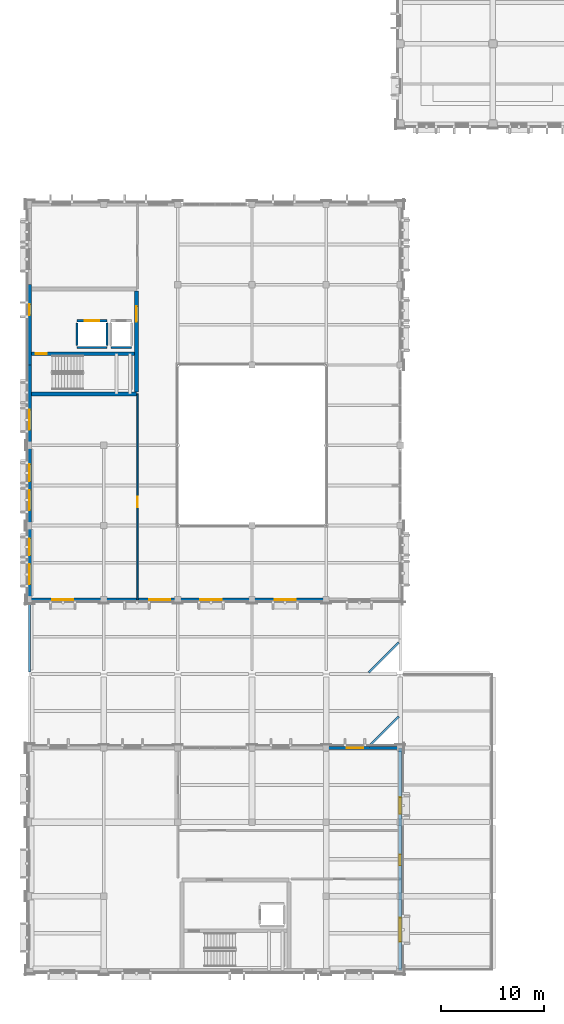
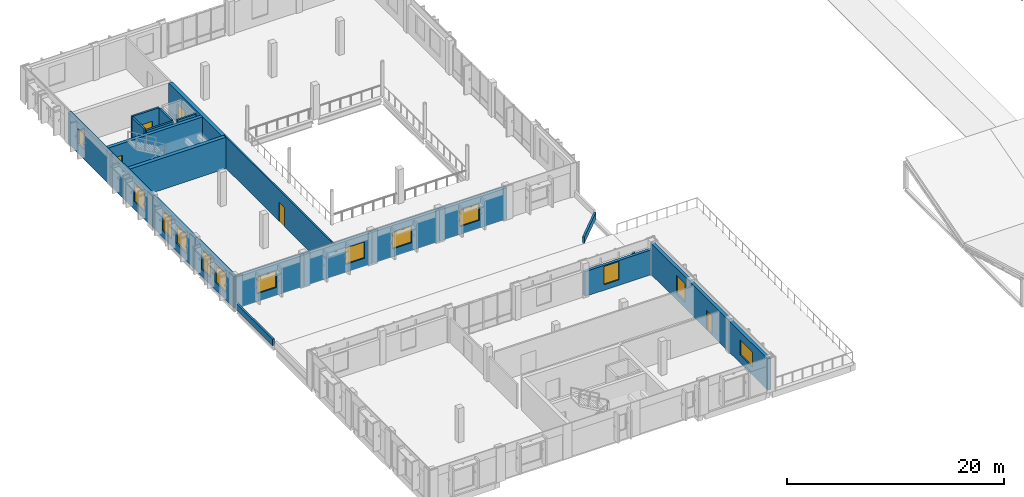
# One storey, part 39 of 64: 22 walls, 13 windows, 5 doors, 18 openings.
"""IFC4 building model written with IfcOpenShell, lengths in metres."""

from ifc_helpers import new_model, si_unit, direction, frame, frame_2d, origin, place, context, subcontext, project, spatial, rectangle, extrude, material, layer, layer_set, type_object, element, fill, save


model = new_model("IFC4")

# Units and contexts
model_context = context("Model", 3, precision=1e-05, world=origin(), true_north=direction((0.0, 1.0)))
body_context = subcontext(model_context, "Body", "Model", "MODEL_VIEW")
ifc_project = project(units=[si_unit("LENGTHUNIT", "METRE"), si_unit("AREAUNIT", "SQUARE_METRE"), si_unit("VOLUMEUNIT", "CUBIC_METRE"), si_unit("PLANEANGLEUNIT", "RADIAN"), si_unit("MASSUNIT", "GRAM", prefix="KILO")], contexts=[model_context])

# Site, building, storey
site_placement = place(None, origin())
site = spatial("IfcSite", under=ifc_project, at=site_placement, CompositionType="ELEMENT")
building_placement = place(site_placement, origin())
building = spatial("IfcBuilding", under=site, at=building_placement, Name="Vervanel Yard Central Library", CompositionType="ELEMENT")
storey_placement = place(building_placement, frame((0.0, 0.0, 8.93994140625)))
storey = spatial("IfcBuildingStorey", under=building, at=storey_placement, Name="L02", CompositionType="ELEMENT", Elevation=8.93994140625)

# Wall, opening, window
ifc_material_1 = material(Name="Precast concrete C45/55", Category="concrete")
ifc_layer_1 = layer(ifc_material_1, 0.300048828125, Category="concrete")
ifc_layer_set_1 = layer_set([ifc_layer_1], Name="Precast concrete C45/55")
wall_type_1 = type_object("IfcWallType", Name="Bush-Hammered Precast Cladding Wall 300", PredefinedType="SOLIDWALL", material=ifc_layer_set_1)
wall_1_placement = place(storey_placement, frame((28.800048828125, 21.60009765625, 0.0), z_axis=(0.0, 0.0, 1.0), x_axis=(1.0, 0.0, 0.0)))
wall_1 = element("IfcWall", 1, at=wall_1_placement, inside=storey, type_object=wall_type_1, Name="L02 Bush-Hammered Precast Cladding Wall 300 EWALL-L02-0245", PredefinedType="SOLIDWALL", context=body_context, shape_type="SweptSolid", body=[
    extrude(rectangle(XDim=7.199951171875, YDim=0.300048828125, at=frame_2d((3.60009765625, 0.0))), origin(), (0.0, 0.0, 1.0), 2.795166015625),
])
opening_1_placement = place(wall_1_placement, frame((2.0, 0.0, 0.625)))
opening_1 = element("IfcOpeningElement", 2, at=opening_1_placement, cuts=wall_1, Name="Opening WN-20", PredefinedType="OPENING", context=body_context, shape_type="SweptSolid", body=[
    extrude(rectangle(XDim=1.60009765625, YDim=2.050048828125, at=frame_2d((0.800048828125, 1.02490234375))), frame((0.0, 0.159912109375, 0.0), z_axis=(0.0, -1.0, 0.0), x_axis=(1.0, 0.0, 0.0)), (0.0, 0.0, 1.0), 0.320068359375),
])
ifc_material_2 = material(Name="Double low-E laminated solar-control glass", Category="glass")
window_type_1 = type_object("IfcWindowType", Name="Reading Courtyard Window 1600x2050", PartitioningType="SINGLE_PANEL", PredefinedType="WINDOW", material=ifc_material_2)
window_1_placement = place(opening_1_placement, origin())
window_1 = element("IfcWindow", 3, at=window_1_placement, inside=storey, type_object=window_type_1, Name="L02 Reading Courtyard Window 1600x2050 311", OverallHeight=2.050048828125, OverallWidth=1.60009765625, PartitioningType="SINGLE_PANEL", PredefinedType="WINDOW", context=body_context, shape_type="SweptSolid", body=[
    extrude(rectangle(XDim=1.60009765625, YDim=2.050048828125, at=frame_2d((0.800048828125, 1.02490234375))), frame((0.0, 0.030029296875, 0.0), z_axis=(0.0, -1.0, 0.0), x_axis=(1.0, 0.0, 0.0)), (0.0, 0.0, 1.0), 0.06005859375),
])
fill(opening_1, window_1)

# Wall
ifc_material_3 = material(Name="Concrete C45/55", Category="concrete")
ifc_layer_2 = layer(ifc_material_3, 0.39990234375, Category="concrete")
ifc_layer_set_2 = layer_set([ifc_layer_2], Name="Concrete C45/55")
wall_type_2 = type_object("IfcWallType", Name="Core Primary Shear Wall 400", PredefinedType="SHEAR", material=ifc_layer_set_2)
wall_2_placement = place(storey_placement, frame((0.169921875, 56.0, 0.0), z_axis=(0.0, 0.0, 1.0), x_axis=(1.0, 0.0, 0.0)))
element("IfcWall", 4, at=wall_2_placement, inside=storey, type_object=wall_type_2, Name="L02 CORE-C Shear Wall S", PredefinedType="SHEAR", context=body_context, shape_type="SweptSolid", body=[
    extrude(rectangle(XDim=10.22998046875, YDim=0.39990234375, at=frame_2d((5.114990234375, 0.0))), origin(), (0.0, 0.0, 1.0), 3.530029296875),
])

# Wall, opening, door
wall_3_placement = place(storey_placement, frame((10.39990234375, 56.199951171875, 0.0), z_axis=(0.0, 0.0, 1.0), x_axis=(0.0, 1.0, 0.0)))
wall_3 = element("IfcWall", 5, at=wall_3_placement, inside=storey, type_object=wall_type_2, Name="L02 CORE-C Shear Wall E", PredefinedType="SHEAR", context=body_context, shape_type="SweptSolid", body=[
    extrude(rectangle(XDim=9.800048828125, YDim=0.39990234375, at=frame_2d((4.89990234375, 0.0))), origin(), (0.0, 0.0, 1.0), 3.530029296875),
])
opening_2_placement = place(wall_3_placement, frame((6.800048828125, 0.0, 0.0)))
opening_2 = element("IfcOpeningElement", 6, at=opening_2_placement, cuts=wall_3, Name="Opening DR-F02", PredefinedType="OPENING", context=body_context, shape_type="SweptSolid", body=[
    extrude(rectangle(XDim=1.5, YDim=2.199951171875, at=frame_2d((0.75, 1.10009765625))), frame((0.0, 0.2099609375, 0.0), z_axis=(0.0, -1.0, 0.0), x_axis=(1.0, 0.0, 0.0)), (0.0, 0.0, 1.0), 0.419921875),
])
ifc_material_4 = material(Name="Galvanized painted steelwork ASTM A500 Grade C", Category="steel")
door_type_1 = type_object("IfcDoorType", Name="Fire-Rated Lobby Door 1500x2200", OperationType="NOTDEFINED", PredefinedType="DOOR", material=ifc_material_4)
door_1_placement = place(opening_2_placement, origin())
door_1 = element("IfcDoor", 7, at=door_1_placement, inside=storey, type_object=door_type_1, Name="L02 CORE-C Lobby Fire Door", OperationType="DOUBLE_DOOR_SINGLE_SWING", OverallHeight=2.199951171875, OverallWidth=1.5, PredefinedType="DOOR", context=body_context, shape_type="SweptSolid", body=[
    extrude(rectangle(XDim=1.5, YDim=2.199951171875, at=frame_2d((0.75, 1.10009765625))), frame((0.0, 0.02490234375, 0.0), z_axis=(0.0, -1.0, 0.0), x_axis=(1.0, 0.0, 0.0)), (0.0, 0.0, 1.0), 0.050048828125),
])
fill(opening_2, door_1)

ifc_layer_3 = layer(ifc_material_3, 0.35009765625, Category="concrete")
ifc_layer_set_3 = layer_set([ifc_layer_3], Name="Concrete C45/55")
wall_type_3 = type_object("IfcWallType", Name="Core Secondary Shear Wall 350", PredefinedType="SHEAR", material=ifc_layer_set_3)
wall_4_placement = place(storey_placement, frame((0.169921875, 59.89501953125, 0.0), z_axis=(0.0, 0.0, 1.0), x_axis=(1.0, 0.0, 0.0)))
wall_4 = element("IfcWall", 8, at=wall_4_placement, inside=storey, type_object=wall_type_3, Name="L02 CORE-C Stair Shaft Wall", PredefinedType="SHEAR", context=body_context, shape_type="SweptSolid", body=[
    extrude(rectangle(XDim=10.030029296875, YDim=0.35009765625, at=frame_2d((5.01513671875, 0.0))), origin(), (0.0, 0.0, 1.0), 3.530029296875),
])
opening_3_placement = place(wall_4_placement, frame((0.449951171875, 0.0, 0.0)))
opening_3 = element("IfcOpeningElement", 9, at=opening_3_placement, cuts=wall_4, Name="Opening DR-F01", PredefinedType="OPENING", context=body_context, shape_type="SweptSolid", body=[
    extrude(rectangle(XDim=1.050048828125, YDim=2.199951171875, at=frame_2d((0.52490234375, 1.10009765625))), frame((0.0, 0.18505859375, 0.0), z_axis=(0.0, -1.0, 0.0), x_axis=(1.0, 0.0, 0.0)), (0.0, 0.0, 1.0), 0.3701171875),
])
door_type_2 = type_object("IfcDoorType", Name="Fire-Rated Stair Exit Door 1050x2200", OperationType="NOTDEFINED", PredefinedType="DOOR", material=ifc_material_4)
door_2_placement = place(opening_3_placement, origin())
door_2 = element("IfcDoor", 10, at=door_2_placement, inside=storey, type_object=door_type_2, Name="L02 CORE-C Stair Door", OperationType="SINGLE_SWING_LEFT", OverallHeight=2.199951171875, OverallWidth=1.050048828125, PredefinedType="DOOR", context=body_context, shape_type="SweptSolid", body=[
    extrude(rectangle(XDim=1.050048828125, YDim=2.199951171875, at=frame_2d((0.52490234375, 1.10009765625))), frame((0.0, 0.02490234375, 0.0), z_axis=(0.0, -1.0, 0.0), x_axis=(1.0, 0.0, 0.0)), (0.0, 0.0, 1.0), 0.050048828125),
])
fill(opening_3, door_2)

# Wall, openings, windows
ifc_layer_4 = layer(ifc_material_3, 0.340087890625, Category="concrete")
ifc_layer_set_4 = layer_set([ifc_layer_4], Name="Concrete C45/55")
wall_type_4 = type_object("IfcWallType", Name="Exterior Bearing Concrete Frame Wall 340", PredefinedType="SOLIDWALL", material=ifc_layer_set_4)
wall_5_placement = place(storey_placement, frame((0.0, 36.0, 0.0), z_axis=(0.0, 0.0, 1.0), x_axis=(0.0, 1.0, 0.0)))
wall_5 = element("IfcWall", 11, at=wall_5_placement, inside=storey, type_object=wall_type_4, Name="L02 Exterior Bearing Concrete Frame Wall 340 EWALL-L02-0112", PredefinedType="SOLIDWALL", context=body_context, shape_type="SweptSolid", body=[
    extrude(rectangle(XDim=7.199951171875, YDim=0.340087890625, at=frame_2d((3.60009765625, 0.0))), origin(), (0.0, 0.0, 1.0), 3.530029296875),
])
opening_4_placement = place(wall_5_placement, frame((1.5, 0.0, 0.85009765625)))
opening_4 = element("IfcOpeningElement", 12, at=opening_4_placement, cuts=wall_5, Name="Opening WN-24", PredefinedType="OPENING", context=body_context, shape_type="SweptSolid", body=[
    extrude(rectangle(XDim=1.949951171875, YDim=2.10009765625, at=frame_2d((0.97509765625, 1.050048828125))), frame((0.0, 0.179931640625, 0.0), z_axis=(0.0, -1.0, 0.0), x_axis=(1.0, 0.0, 0.0)), (0.0, 0.0, 1.0), 0.360107421875),
])
opening_5_placement = place(wall_5_placement, frame((4.300048828125, 0.0, 0.798095703125)))
opening_5 = element("IfcOpeningElement", 13, at=opening_5_placement, cuts=wall_5, Name="Opening WN-07", PredefinedType="OPENING", context=body_context, shape_type="SweptSolid", body=[
    extrude(rectangle(XDim=1.64990234375, YDim=2.25, at=frame_2d((0.824951171875, 1.125))), frame((0.0, 0.179931640625, 0.0), z_axis=(0.0, -1.0, 0.0), x_axis=(1.0, 0.0, 0.0)), (0.0, 0.0, 1.0), 0.360107421875),
])
window_type_2 = type_object("IfcWindowType", Name="Atrium Study Window 1950x2100", PartitioningType="SINGLE_PANEL", PredefinedType="WINDOW", material=ifc_material_2)
window_2_placement = place(opening_4_placement, origin())
window_2 = element("IfcWindow", 14, at=window_2_placement, inside=storey, type_object=window_type_2, Name="L02 Atrium Study Window 1950x2100 147", OverallHeight=2.10009765625, OverallWidth=1.949951171875, PartitioningType="SINGLE_PANEL", PredefinedType="WINDOW", context=body_context, shape_type="SweptSolid", body=[
    extrude(rectangle(XDim=1.949951171875, YDim=2.10009765625, at=frame_2d((0.97509765625, 1.050048828125))), frame((0.0, 0.030029296875, 0.0), z_axis=(0.0, -1.0, 0.0), x_axis=(1.0, 0.0, 0.0)), (0.0, 0.0, 1.0), 0.06005859375),
])
fill(opening_4, window_2)
window_type_3 = type_object("IfcWindowType", Name="Atrium Wing Window 1650x2250", PartitioningType="SINGLE_PANEL", PredefinedType="WINDOW", material=ifc_material_2)
window_3_placement = place(opening_5_placement, origin())
window_3 = element("IfcWindow", 15, at=window_3_placement, inside=storey, type_object=window_type_3, Name="L02 Atrium Wing Window 1650x2250 148", OverallHeight=2.25, OverallWidth=1.64990234375, PartitioningType="SINGLE_PANEL", PredefinedType="WINDOW", context=body_context, shape_type="SweptSolid", body=[
    extrude(rectangle(XDim=1.64990234375, YDim=2.25, at=frame_2d((0.824951171875, 1.125))), frame((0.0, 0.030029296875, 0.0), z_axis=(0.0, -1.0, 0.0), x_axis=(1.0, 0.0, 0.0)), (0.0, 0.0, 1.0), 0.06005859375),
])
fill(opening_5, window_3)

wall_6_placement = place(storey_placement, frame((0.0, 43.199951171875, 0.0), z_axis=(0.0, 0.0, 1.0), x_axis=(0.0, 1.0, 0.0)))
wall_6 = element("IfcWall", 16, at=wall_6_placement, inside=storey, type_object=wall_type_4, Name="L02 Exterior Bearing Concrete Frame Wall 340 EWALL-L02-0113", PredefinedType="SOLIDWALL", context=body_context, shape_type="SweptSolid", body=[
    extrude(rectangle(XDim=7.800048828125, YDim=0.340087890625, at=frame_2d((3.89990234375, 0.0))), origin(), (0.0, 0.0, 1.0), 3.530029296875),
])
opening_6_placement = place(wall_6_placement, frame((1.5, 0.0, 0.85009765625)))
opening_6 = element("IfcOpeningElement", 17, at=opening_6_placement, cuts=wall_6, Name="Opening WN-24", PredefinedType="OPENING", context=body_context, shape_type="SweptSolid", body=[
    extrude(rectangle(XDim=1.949951171875, YDim=2.10009765625, at=frame_2d((0.97509765625, 1.050048828125))), frame((0.0, 0.179931640625, 0.0), z_axis=(0.0, -1.0, 0.0), x_axis=(1.0, 0.0, 0.0)), (0.0, 0.0, 1.0), 0.360107421875),
])
opening_7_placement = place(wall_6_placement, frame((4.300048828125, 0.0, 0.798095703125)))
opening_7 = element("IfcOpeningElement", 18, at=opening_7_placement, cuts=wall_6, Name="Opening WN-07", PredefinedType="OPENING", context=body_context, shape_type="SweptSolid", body=[
    extrude(rectangle(XDim=1.64990234375, YDim=2.25, at=frame_2d((0.824951171875, 1.125))), frame((0.0, 0.179931640625, 0.0), z_axis=(0.0, -1.0, 0.0), x_axis=(1.0, 0.0, 0.0)), (0.0, 0.0, 1.0), 0.360107421875),
])
window_4_placement = place(opening_6_placement, origin())
window_4 = element("IfcWindow", 19, at=window_4_placement, inside=storey, type_object=window_type_2, Name="L02 Atrium Study Window 1950x2100 149", OverallHeight=2.10009765625, OverallWidth=1.949951171875, PartitioningType="SINGLE_PANEL", PredefinedType="WINDOW", context=body_context, shape_type="SweptSolid", body=[
    extrude(rectangle(XDim=1.949951171875, YDim=2.10009765625, at=frame_2d((0.97509765625, 1.050048828125))), frame((0.0, 0.030029296875, 0.0), z_axis=(0.0, -1.0, 0.0), x_axis=(1.0, 0.0, 0.0)), (0.0, 0.0, 1.0), 0.06005859375),
])
fill(opening_6, window_4)
window_5_placement = place(opening_7_placement, origin())
window_5 = element("IfcWindow", 20, at=window_5_placement, inside=storey, type_object=window_type_3, Name="L02 Atrium Wing Window 1650x2250 150", OverallHeight=2.25, OverallWidth=1.64990234375, PartitioningType="SINGLE_PANEL", PredefinedType="WINDOW", context=body_context, shape_type="SweptSolid", body=[
    extrude(rectangle(XDim=1.64990234375, YDim=2.25, at=frame_2d((0.824951171875, 1.125))), frame((0.0, 0.030029296875, 0.0), z_axis=(0.0, -1.0, 0.0), x_axis=(1.0, 0.0, 0.0)), (0.0, 0.0, 1.0), 0.06005859375),
])
fill(opening_7, window_5)

# Wall, opening, window
wall_7_placement = place(storey_placement, frame((0.0, 51.0, 0.0), z_axis=(0.0, 0.0, 1.0), x_axis=(0.0, 1.0, 0.0)))
wall_7 = element("IfcWall", 21, at=wall_7_placement, inside=storey, type_object=wall_type_4, Name="L02 Exterior Bearing Concrete Frame Wall 340 EWALL-L02-0114", PredefinedType="SOLIDWALL", context=body_context, shape_type="SweptSolid", body=[
    extrude(rectangle(XDim=7.800048828125, YDim=0.340087890625, at=frame_2d((3.89990234375, 0.0))), origin(), (0.0, 0.0, 1.0), 3.530029296875),
])
opening_8_placement = place(wall_7_placement, frame((1.5, 0.0, 0.85009765625)))
opening_8 = element("IfcOpeningElement", 22, at=opening_8_placement, cuts=wall_7, Name="Opening WN-24", PredefinedType="OPENING", context=body_context, shape_type="SweptSolid", body=[
    extrude(rectangle(XDim=1.949951171875, YDim=2.10009765625, at=frame_2d((0.97509765625, 1.050048828125))), frame((0.0, 0.179931640625, 0.0), z_axis=(0.0, -1.0, 0.0), x_axis=(1.0, 0.0, 0.0)), (0.0, 0.0, 1.0), 0.360107421875),
])
window_6_placement = place(opening_8_placement, origin())
window_6 = element("IfcWindow", 23, at=window_6_placement, inside=storey, type_object=window_type_2, Name="L02 Atrium Study Window 1950x2100 151", OverallHeight=2.10009765625, OverallWidth=1.949951171875, PartitioningType="SINGLE_PANEL", PredefinedType="WINDOW", context=body_context, shape_type="SweptSolid", body=[
    extrude(rectangle(XDim=1.949951171875, YDim=2.10009765625, at=frame_2d((0.97509765625, 1.050048828125))), frame((0.0, 0.030029296875, 0.0), z_axis=(0.0, -1.0, 0.0), x_axis=(1.0, 0.0, 0.0)), (0.0, 0.0, 1.0), 0.06005859375),
])
fill(opening_8, window_6)

wall_8_placement = place(storey_placement, frame((0.0, 58.800048828125, 0.0), z_axis=(0.0, 0.0, 1.0), x_axis=(0.0, 1.0, 0.0)))
wall_8 = element("IfcWall", 24, at=wall_8_placement, inside=storey, type_object=wall_type_4, Name="L02 Exterior Bearing Concrete Frame Wall 340 EWALL-L02-0115", PredefinedType="SOLIDWALL", context=body_context, shape_type="SweptSolid", body=[
    extrude(rectangle(XDim=7.800048828125, YDim=0.340087890625, at=frame_2d((3.89990234375, 0.0))), origin(), (0.0, 0.0, 1.0), 3.530029296875),
])
opening_9_placement = place(wall_8_placement, frame((4.85009765625, 0.0, 1.10009765625)))
opening_9 = element("IfcOpeningElement", 25, at=opening_9_placement, cuts=wall_8, Name="Opening WN-16", PredefinedType="OPENING", context=body_context, shape_type="SweptSolid", body=[
    extrude(rectangle(XDim=1.050048828125, YDim=1.75, at=frame_2d((0.52490234375, 0.875))), frame((0.0, 0.179931640625, 0.0), z_axis=(0.0, -1.0, 0.0), x_axis=(1.0, 0.0, 0.0)), (0.0, 0.0, 1.0), 0.360107421875),
])
window_type_4 = type_object("IfcWindowType", Name="Study Carrel Punch Window 1050x1750", PartitioningType="SINGLE_PANEL", PredefinedType="WINDOW", material=ifc_material_2)
window_7_placement = place(opening_9_placement, origin())
window_7 = element("IfcWindow", 26, at=window_7_placement, inside=storey, type_object=window_type_4, Name="L02 Study Carrel Punch Window 1050x1750 153", OverallHeight=1.75, OverallWidth=1.050048828125, PartitioningType="SINGLE_PANEL", PredefinedType="WINDOW", context=body_context, shape_type="SweptSolid", body=[
    extrude(rectangle(XDim=1.050048828125, YDim=1.75, at=frame_2d((0.52490234375, 0.875))), frame((0.0, 0.030029296875, 0.0), z_axis=(0.0, -1.0, 0.0), x_axis=(1.0, 0.0, 0.0)), (0.0, 0.0, 1.0), 0.06005859375),
])
fill(opening_9, window_7)

wall_9_placement = place(storey_placement, frame((0.0, 36.0, 0.0), z_axis=(0.0, 0.0, 1.0), x_axis=(1.0, 0.0, 0.0)))
wall_9 = element("IfcWall", 27, at=wall_9_placement, inside=storey, type_object=wall_type_4, Name="L02 Exterior Bearing Concrete Frame Wall 340 EWALL-L02-0121", PredefinedType="SOLIDWALL", context=body_context, shape_type="SweptSolid", body=[
    extrude(rectangle(XDim=7.199951171875, YDim=0.340087890625, at=frame_2d((3.60009765625, 0.0))), origin(), (0.0, 0.0, 1.0), 3.530029296875),
])
opening_10_placement = place(wall_9_placement, frame((2.199951171875, 0.0, 0.89990234375)))
opening_10 = element("IfcOpeningElement", 28, at=opening_10_placement, cuts=wall_9, Name="Opening WN-26", PredefinedType="OPENING", context=body_context, shape_type="SweptSolid", body=[
    extrude(rectangle(XDim=2.050048828125, YDim=1.85009765625, at=frame_2d((1.02490234375, 0.925048828125))), frame((0.0, 0.179931640625, 0.0), z_axis=(0.0, -1.0, 0.0), x_axis=(1.0, 0.0, 0.0)), (0.0, 0.0, 1.0), 0.360107421875),
])
window_type_5 = type_object("IfcWindowType", Name="Seminar Acoustic Window 2050x1850", PartitioningType="SINGLE_PANEL", PredefinedType="WINDOW", material=ifc_material_2)
window_8_placement = place(opening_10_placement, origin())
window_8 = element("IfcWindow", 29, at=window_8_placement, inside=storey, type_object=window_type_5, Name="L02 Seminar Acoustic Window 2050x1850 163", OverallHeight=1.85009765625, OverallWidth=2.050048828125, PartitioningType="SINGLE_PANEL", PredefinedType="WINDOW", context=body_context, shape_type="SweptSolid", body=[
    extrude(rectangle(XDim=2.050048828125, YDim=1.85009765625, at=frame_2d((1.02490234375, 0.925048828125))), frame((0.0, 0.030029296875, 0.0), z_axis=(0.0, -1.0, 0.0), x_axis=(1.0, 0.0, 0.0)), (0.0, 0.0, 1.0), 0.06005859375),
])
fill(opening_10, window_8)

wall_10_placement = place(storey_placement, frame((7.199951171875, 36.0, 0.0), z_axis=(0.0, 0.0, 1.0), x_axis=(1.0, 0.0, 0.0)))
wall_10 = element("IfcWall", 30, at=wall_10_placement, inside=storey, type_object=wall_type_4, Name="L02 Exterior Bearing Concrete Frame Wall 340 EWALL-L02-0123", PredefinedType="SOLIDWALL", context=body_context, shape_type="SweptSolid", body=[
    extrude(rectangle(XDim=7.199951171875, YDim=0.340087890625, at=frame_2d((3.60009765625, 0.0))), origin(), (0.0, 0.0, 1.0), 3.530029296875),
])
opening_11_placement = place(wall_10_placement, frame((4.39990234375, 0.0, 0.89990234375)))
opening_11 = element("IfcOpeningElement", 31, at=opening_11_placement, cuts=wall_10, Name="Opening WN-26", PredefinedType="OPENING", context=body_context, shape_type="SweptSolid", body=[
    extrude(rectangle(XDim=2.050048828125, YDim=1.85009765625, at=frame_2d((1.02490234375, 0.925048828125))), frame((0.0, 0.179931640625, 0.0), z_axis=(0.0, -1.0, 0.0), x_axis=(1.0, 0.0, 0.0)), (0.0, 0.0, 1.0), 0.360107421875),
])
window_9_placement = place(opening_11_placement, origin())
window_9 = element("IfcWindow", 32, at=window_9_placement, inside=storey, type_object=window_type_5, Name="L02 Seminar Acoustic Window 2050x1850 165", OverallHeight=1.85009765625, OverallWidth=2.050048828125, PartitioningType="SINGLE_PANEL", PredefinedType="WINDOW", context=body_context, shape_type="SweptSolid", body=[
    extrude(rectangle(XDim=2.050048828125, YDim=1.85009765625, at=frame_2d((1.02490234375, 0.925048828125))), frame((0.0, 0.030029296875, 0.0), z_axis=(0.0, -1.0, 0.0), x_axis=(1.0, 0.0, 0.0)), (0.0, 0.0, 1.0), 0.06005859375),
])
fill(opening_11, window_9)

wall_11_placement = place(storey_placement, frame((14.39990234375, 36.0, 0.0), z_axis=(0.0, 0.0, 1.0), x_axis=(1.0, 0.0, 0.0)))
wall_11 = element("IfcWall", 33, at=wall_11_placement, inside=storey, type_object=wall_type_4, Name="L02 Exterior Bearing Concrete Frame Wall 340 EWALL-L02-0124", PredefinedType="SOLIDWALL", context=body_context, shape_type="SweptSolid", body=[
    extrude(rectangle(XDim=7.2001953125, YDim=0.340087890625, at=frame_2d((3.60009765625, 0.0))), origin(), (0.0, 0.0, 1.0), 3.530029296875),
])
opening_12_placement = place(wall_11_placement, frame((2.199951171875, 0.0, 0.89990234375)))
opening_12 = element("IfcOpeningElement", 34, at=opening_12_placement, cuts=wall_11, Name="Opening WN-26", PredefinedType="OPENING", context=body_context, shape_type="SweptSolid", body=[
    extrude(rectangle(XDim=2.050048828125, YDim=1.85009765625, at=frame_2d((1.02490234375, 0.925048828125))), frame((0.0, 0.179931640625, 0.0), z_axis=(0.0, -1.0, 0.0), x_axis=(1.0, 0.0, 0.0)), (0.0, 0.0, 1.0), 0.360107421875),
])
window_10_placement = place(opening_12_placement, origin())
window_10 = element("IfcWindow", 35, at=window_10_placement, inside=storey, type_object=window_type_5, Name="L02 Seminar Acoustic Window 2050x1850 166", OverallHeight=1.85009765625, OverallWidth=2.050048828125, PartitioningType="SINGLE_PANEL", PredefinedType="WINDOW", context=body_context, shape_type="SweptSolid", body=[
    extrude(rectangle(XDim=2.050048828125, YDim=1.85009765625, at=frame_2d((1.02490234375, 0.925048828125))), frame((0.0, 0.030029296875, 0.0), z_axis=(0.0, -1.0, 0.0), x_axis=(1.0, 0.0, 0.0)), (0.0, 0.0, 1.0), 0.06005859375),
])
fill(opening_12, window_10)

wall_12_placement = place(storey_placement, frame((21.60009765625, 36.0, 0.0), z_axis=(0.0, 0.0, 1.0), x_axis=(1.0, 0.0, 0.0)))
wall_12 = element("IfcWall", 36, at=wall_12_placement, inside=storey, type_object=wall_type_4, Name="L02 Exterior Bearing Concrete Frame Wall 340 EWALL-L02-0126", PredefinedType="SOLIDWALL", context=body_context, shape_type="SweptSolid", body=[
    extrude(rectangle(XDim=7.199951171875, YDim=0.340087890625, at=frame_2d((3.60009765625, 0.0))), origin(), (0.0, 0.0, 1.0), 3.530029296875),
])
opening_13_placement = place(wall_12_placement, frame((2.199951171875, 0.0, 0.89990234375)))
opening_13 = element("IfcOpeningElement", 37, at=opening_13_placement, cuts=wall_12, Name="Opening WN-26", PredefinedType="OPENING", context=body_context, shape_type="SweptSolid", body=[
    extrude(rectangle(XDim=2.050048828125, YDim=1.85009765625, at=frame_2d((1.02490234375, 0.925048828125))), frame((0.0, 0.179931640625, 0.0), z_axis=(0.0, -1.0, 0.0), x_axis=(1.0, 0.0, 0.0)), (0.0, 0.0, 1.0), 0.360107421875),
])
window_11_placement = place(opening_13_placement, origin())
window_11 = element("IfcWindow", 38, at=window_11_placement, inside=storey, type_object=window_type_5, Name="L02 Seminar Acoustic Window 2050x1850 168", OverallHeight=1.85009765625, OverallWidth=2.050048828125, PartitioningType="SINGLE_PANEL", PredefinedType="WINDOW", context=body_context, shape_type="SweptSolid", body=[
    extrude(rectangle(XDim=2.050048828125, YDim=1.85009765625, at=frame_2d((1.02490234375, 0.925048828125))), frame((0.0, 0.030029296875, 0.0), z_axis=(0.0, -1.0, 0.0), x_axis=(1.0, 0.0, 0.0)), (0.0, 0.0, 1.0), 0.06005859375),
])
fill(opening_13, window_11)

# Wall, openings, windows, door
wall_13_placement = place(storey_placement, frame((36.0, 0.0, 0.0), z_axis=(0.0, 0.0, 1.0), x_axis=(0.0, 1.0, 0.0)))
wall_13 = element("IfcWall", 39, at=wall_13_placement, inside=storey, type_object=wall_type_4, Name="L02 Exterior Bearing Concrete Frame Wall 340 EWALL-L02-0241", PredefinedType="SOLIDWALL", context=body_context, shape_type="SweptSolid", body=[
    extrude(rectangle(XDim=21.60009765625, YDim=0.340087890625, at=frame_2d((10.800048828125, 0.0))), origin(), (0.0, 0.0, 1.0), 3.530029296875),
])
opening_14_placement = place(wall_13_placement, frame((10.199951171875, 0.0, 0.0)))
opening_14 = element("IfcOpeningElement", 40, at=opening_14_placement, cuts=wall_13, Name="Opening DR-T02", PredefinedType="OPENING", context=body_context, shape_type="SweptSolid", body=[
    extrude(rectangle(XDim=1.050048828125, YDim=2.199951171875, at=frame_2d((0.52490234375, 1.10009765625))), frame((0.0, 0.179931640625, 0.0), z_axis=(0.0, -1.0, 0.0), x_axis=(1.0, 0.0, 0.0)), (0.0, 0.0, 1.0), 0.360107421875),
])
opening_15_placement = place(wall_13_placement, frame((2.800048828125, 0.0, 0.89990234375)))
opening_15 = element("IfcOpeningElement", 41, at=opening_15_placement, cuts=wall_13, Name="Opening WN-25", PredefinedType="OPENING", context=body_context, shape_type="SweptSolid", body=[
    extrude(rectangle(XDim=2.300048828125, YDim=1.699951171875, at=frame_2d((1.14990234375, 0.85009765625))), frame((0.0, 0.179931640625, 0.0), z_axis=(0.0, -1.0, 0.0), x_axis=(1.0, 0.0, 0.0)), (0.0, 0.0, 1.0), 0.360107421875),
])
opening_16_placement = place(wall_13_placement, frame((15.199951171875, 0.0, 0.705078125)))
opening_16 = element("IfcOpeningElement", 42, at=opening_16_placement, cuts=wall_13, Name="Opening WN-20", PredefinedType="OPENING", context=body_context, shape_type="SweptSolid", body=[
    extrude(rectangle(XDim=1.60009765625, YDim=2.050048828125, at=frame_2d((0.800048828125, 1.02490234375))), frame((0.0, 0.179931640625, 0.0), z_axis=(0.0, -1.0, 0.0), x_axis=(1.0, 0.0, 0.0)), (0.0, 0.0, 1.0), 0.360107421875),
])
window_12_placement = place(opening_16_placement, origin())
window_12 = element("IfcWindow", 43, at=window_12_placement, inside=storey, type_object=window_type_1, Name="L02 Reading Courtyard Window 1600x2050 307", OverallHeight=2.050048828125, OverallWidth=1.60009765625, PartitioningType="SINGLE_PANEL", PredefinedType="WINDOW", context=body_context, shape_type="SweptSolid", body=[
    extrude(rectangle(XDim=1.60009765625, YDim=2.050048828125, at=frame_2d((0.800048828125, 1.02490234375))), frame((0.0, 0.030029296875, 0.0), z_axis=(0.0, -1.0, 0.0), x_axis=(1.0, 0.0, 0.0)), (0.0, 0.0, 1.0), 0.06005859375),
])
fill(opening_16, window_12)
ifc_material_5 = material(Name="Thermally broken anodized aluminium 6063-T6", Category="aluminium")
door_type_3 = type_object("IfcDoorType", Name="Roof Garden Terrace Single Door 1050x2200", OperationType="NOTDEFINED", PredefinedType="DOOR", material=ifc_material_5)
door_3_placement = place(opening_14_placement, frame((1.050048828125, 0.0, 0.0), z_axis=(0.0, 0.0, 1.0), x_axis=(-1.0, 0.0, 0.0)))
door_3 = element("IfcDoor", 44, at=door_3_placement, inside=storey, type_object=door_type_3, Name="L02 Roof Garden Terrace Single Door 1050x2200 25", OperationType="SINGLE_SWING_LEFT", OverallHeight=2.199951171875, OverallWidth=1.050048828125, PredefinedType="DOOR", context=body_context, shape_type="SweptSolid", body=[
    extrude(rectangle(XDim=1.050048828125, YDim=2.199951171875, at=frame_2d((0.52490234375, 1.10009765625))), frame((0.0, 0.02490234375, 0.0), z_axis=(0.0, -1.0, 0.0), x_axis=(1.0, 0.0, 0.0)), (0.0, 0.0, 1.0), 0.050048828125),
])
fill(opening_14, door_3)
window_type_6 = type_object("IfcWindowType", Name="Studio Ribbon Window 2300x1700", PartitioningType="SINGLE_PANEL", PredefinedType="WINDOW", material=ifc_material_2)
window_13_placement = place(opening_15_placement, origin())
window_13 = element("IfcWindow", 45, at=window_13_placement, inside=storey, type_object=window_type_6, Name="L02 Studio Ribbon Window 2300x1700 306", OverallHeight=1.699951171875, OverallWidth=2.300048828125, PartitioningType="SINGLE_PANEL", PredefinedType="WINDOW", context=body_context, shape_type="SweptSolid", body=[
    extrude(rectangle(XDim=2.300048828125, YDim=1.699951171875, at=frame_2d((1.14990234375, 0.85009765625))), frame((0.0, 0.030029296875, 0.0), z_axis=(0.0, -1.0, 0.0), x_axis=(1.0, 0.0, 0.0)), (0.0, 0.0, 1.0), 0.06005859375),
])
fill(opening_15, window_13)

# Wall, opening, door
ifc_material_6 = material(Name="Fire-rated gypsum board on steel studs", Category="steel")
ifc_layer_5 = layer(ifc_material_6, 0.14990234375, Category="steel")
ifc_layer_set_5 = layer_set([ifc_layer_5], Name="Fire-rated gypsum board on steel studs")
wall_type_5 = type_object("IfcWallType", Name="Interior Partition 150", PredefinedType="PARTITIONING", material=ifc_layer_set_5)
wall_14_placement = place(storey_placement, frame((10.5, 36.0, 0.0), z_axis=(0.0, 0.0, 1.0), x_axis=(0.0, 1.0, 0.0)))
wall_14 = element("IfcWall", 46, at=wall_14_placement, inside=storey, type_object=wall_type_5, Name="L02 Interior Partition 150 IPART-L02-0086", PredefinedType="PARTITIONING", context=body_context, shape_type="SweptSolid", body=[
    extrude(rectangle(XDim=20.0, YDim=0.14990234375, at=frame_2d((10.0, 0.0))), origin(), (0.0, 0.0, 1.0), 3.530029296875),
])
opening_17_placement = place(wall_14_placement, frame((9.0, 0.0, 0.0)))
opening_17 = element("IfcOpeningElement", 47, at=opening_17_placement, cuts=wall_14, Name="Opening DR-01", PredefinedType="OPENING", context=body_context, shape_type="SweptSolid", body=[
    extrude(rectangle(XDim=1.0, YDim=2.14990234375, at=frame_2d((0.5, 1.074951171875))), frame((0.0, 0.0849609375, 0.0), z_axis=(0.0, -1.0, 0.0), x_axis=(1.0, 0.0, 0.0)), (0.0, 0.0, 1.0), 0.169921875),
])
ifc_material_7 = material(Name="Solid white oak acoustic joinery", Category="wood")
door_type_4 = type_object("IfcDoorType", Name="Interior Single Door 1000x2150", OperationType="NOTDEFINED", PredefinedType="DOOR", material=ifc_material_7)
door_4_placement = place(opening_17_placement, origin())
door_4 = element("IfcDoor", 48, at=door_4_placement, inside=storey, type_object=door_type_4, Name="L02 Interior Single Door 1000x2150 IDOOR-L02-0067", OperationType="SINGLE_SWING_RIGHT", OverallHeight=2.14990234375, OverallWidth=1.0, PredefinedType="DOOR", context=body_context, shape_type="SweptSolid", body=[
    extrude(rectangle(XDim=1.0, YDim=2.14990234375, at=frame_2d((0.5, 1.074951171875))), frame((0.0, 0.02490234375, 0.0), z_axis=(0.0, -1.0, 0.0), x_axis=(1.0, 0.0, 0.0)), (0.0, 0.0, 1.0), 0.050048828125),
])
fill(opening_17, door_4)

# Walls
ifc_material_8 = material(Name="Concrete C40/50", Category="concrete")
ifc_layer_6 = layer(ifc_material_8, 0.199951171875, Category="concrete")
ifc_layer_set_6 = layer_set([ifc_layer_6], Name="Concrete C40/50")
wall_type_6 = type_object("IfcWallType", Name="Setback Roof Concrete Parapet 200", PredefinedType="PARAPET", material=ifc_layer_set_6)
wall_15_placement = place(storey_placement, frame((32.94140625, 28.94140625, 0.0), z_axis=(0.0, 0.0, 1.0), x_axis=(0.707106781187, 0.707106781187, 0.0)))
element("IfcWall", 49, at=wall_15_placement, inside=storey, type_object=wall_type_6, Name="L02 Roof Parapet 7", PredefinedType="PARAPET", context=body_context, shape_type="SweptSolid", body=[
    extrude(rectangle(XDim=4.12548828125, YDim=0.199951171875, at=frame_2d((2.062744140625, 0.0))), origin(), (0.0, 0.0, 1.0), 0.719970703125),
])
wall_16_placement = place(storey_placement, frame((0.0, 35.800048828125, 0.0), z_axis=(0.0, 0.0, 1.0), x_axis=(0.0, -1.0, 0.0)))
element("IfcWall", 50, at=wall_16_placement, inside=storey, type_object=wall_type_6, Name="L02 Roof Parapet 9", PredefinedType="PARAPET", context=body_context, shape_type="SweptSolid", body=[
    extrude(rectangle(XDim=6.800048828125, YDim=0.199951171875, at=frame_2d((3.39990234375, 0.0))), origin(), (0.0, 0.0, 1.0), 0.719970703125),
])
wall_17_placement = place(storey_placement, frame((32.94140625, 21.741455078125, 0.0), z_axis=(0.0, 0.0, 1.0), x_axis=(0.707106781187, 0.707106781187, 0.0)))
element("IfcWall", 51, at=wall_17_placement, inside=storey, type_object=wall_type_6, Name="L02 Roof Parapet 10", PredefinedType="PARAPET", context=body_context, shape_type="SweptSolid", body=[
    extrude(rectangle(XDim=4.12548828125, YDim=0.199951171875, at=frame_2d((2.062744140625, 0.0))), origin(), (0.0, 0.0, 1.0), 0.719970703125),
])
ifc_layer_7 = layer(ifc_material_8, 0.199951171875, Category="concrete")
ifc_layer_set_7 = layer_set([ifc_layer_7], Name="Concrete C40/50")
wall_type_7 = type_object("IfcWallType", Name="Shaft & Plant Rated Wall 200", PredefinedType="PARTITIONING", material=ifc_layer_set_7)
wall_18_placement = place(storey_placement, frame((4.60009765625, 60.5, 0.0), z_axis=(0.0, 0.0, 1.0), x_axis=(1.0, 0.0, 0.0)))
element("IfcWall", 52, at=wall_18_placement, inside=storey, type_object=wall_type_7, Name="L02 CORE-C-L02-EL-06 Shaft Wall S", PredefinedType="PARTITIONING", context=body_context, shape_type="SweptSolid", body=[
    extrude(rectangle(XDim=2.89990234375, YDim=0.199951171875, at=frame_2d((1.449951171875, 0.0))), origin(), (0.0, 0.0, 1.0), 3.530029296875),
])

# Wall, opening, door
wall_19_placement = place(storey_placement, frame((4.60009765625, 63.10009765625, 0.0), z_axis=(0.0, 0.0, 1.0), x_axis=(1.0, 0.0, 0.0)))
wall_19 = element("IfcWall", 53, at=wall_19_placement, inside=storey, type_object=wall_type_7, Name="L02 CORE-C-L02-EL-06 Shaft Wall N", PredefinedType="PARTITIONING", context=body_context, shape_type="SweptSolid", body=[
    extrude(rectangle(XDim=2.89990234375, YDim=0.199951171875, at=frame_2d((1.449951171875, 0.0))), origin(), (0.0, 0.0, 1.0), 3.530029296875),
])
opening_18_placement = place(wall_19_placement, frame((0.75, 0.0, 0.0)))
opening_18 = element("IfcOpeningElement", 54, at=opening_18_placement, cuts=wall_19, Name="Opening LD-02", PredefinedType="OPENING", context=body_context, shape_type="SweptSolid", body=[
    extrude(rectangle(XDim=1.39990234375, YDim=2.25, at=frame_2d((0.699951171875, 1.125))), frame((0.0, 0.10986328125, 0.0), z_axis=(0.0, -1.0, 0.0), x_axis=(1.0, 0.0, 0.0)), (0.0, 0.0, 1.0), 0.219970703125),
])
ifc_material_9 = material(Name="Brushed stainless steel AISI 316", Category="steel")
door_type_5 = type_object("IfcDoorType", Name="Collections Freight Lift Sliding Door 1400x2250", OperationType="NOTDEFINED", PredefinedType="DOOR", material=ifc_material_9)
door_5_placement = place(opening_18_placement, origin())
door_5 = element("IfcDoor", 55, at=door_5_placement, inside=storey, type_object=door_type_5, Name="L02 Lift EL-06 Landing Door", OperationType="SLIDING_TO_LEFT", OverallHeight=2.25, OverallWidth=1.39990234375, PredefinedType="DOOR", context=body_context, shape_type="SweptSolid", body=[
    extrude(rectangle(XDim=1.39990234375, YDim=2.25, at=frame_2d((0.699951171875, 1.125))), frame((0.0, 0.02490234375, 0.0), z_axis=(0.0, -1.0, 0.0), x_axis=(1.0, 0.0, 0.0)), (0.0, 0.0, 1.0), 0.050048828125),
])
fill(opening_18, door_5)

# Walls
for number, where, z_axis, x_axis, name in (
    (56, (4.60009765625, 60.699951171875, 0.0), (0.0, 0.0, 1.0), (0.0, 1.0, 0.0), "L02 CORE-C-L02-EL-06 Shaft Wall W"),
    (57, (7.5, 60.699951171875, 0.0), (0.0, 0.0, 1.0), (0.0, 1.0, 0.0), "L02 CORE-C-L02-EL-06 Shaft Wall E"),
):
    element("IfcWall", number, at=place(storey_placement, frame(where, z_axis=z_axis, x_axis=x_axis)), inside=storey, type_object=wall_type_7, Name=name, PredefinedType="PARTITIONING", context=body_context, shape_type="SweptSolid", body=[
        extrude(rectangle(XDim=2.199951171875, YDim=0.199951171875, at=frame_2d((1.10009765625, 0.0))), origin(), (0.0, 0.0, 1.0), 3.530029296875),
    ])
wall_20_placement = place(storey_placement, frame((7.89990234375, 60.5, 0.0), z_axis=(0.0, 0.0, 1.0), x_axis=(1.0, 0.0, 0.0)))
element("IfcWall", 58, at=wall_20_placement, inside=storey, type_object=wall_type_7, Name="L02 CORE-C-L02-RIS Shaft Wall S", PredefinedType="PARTITIONING", context=body_context, shape_type="SweptSolid", body=[
    extrude(rectangle(XDim=2.0, YDim=0.199951171875, at=frame_2d((1.0, 0.0))), origin(), (0.0, 0.0, 1.0), 3.530029296875),
])

save(model, "model.ifc")
